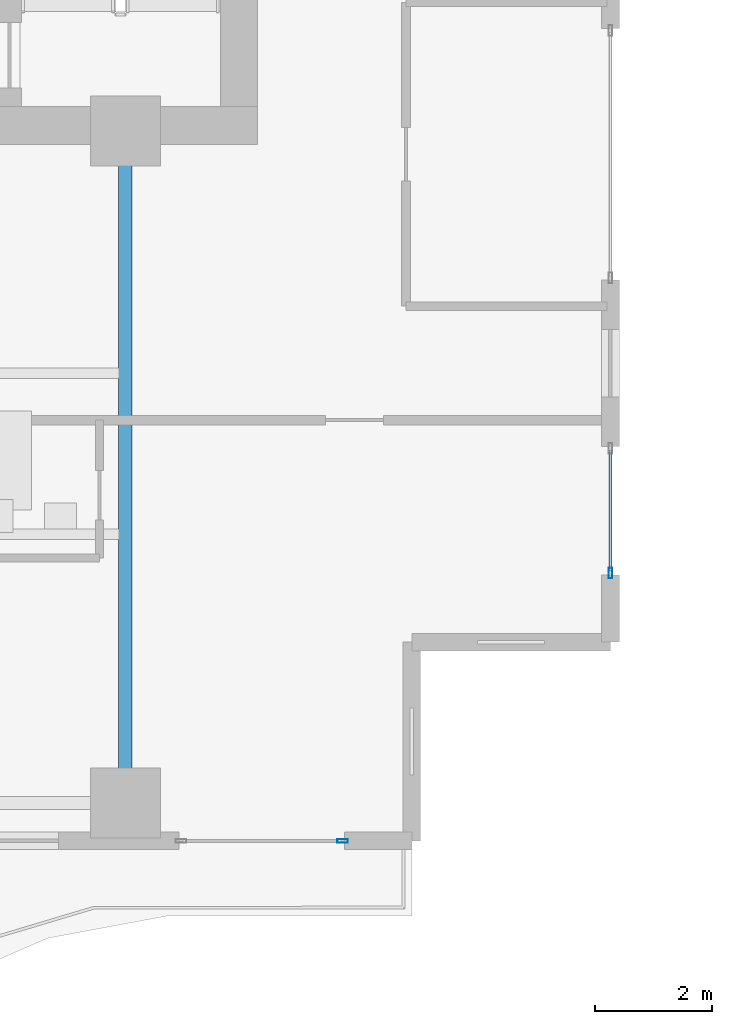
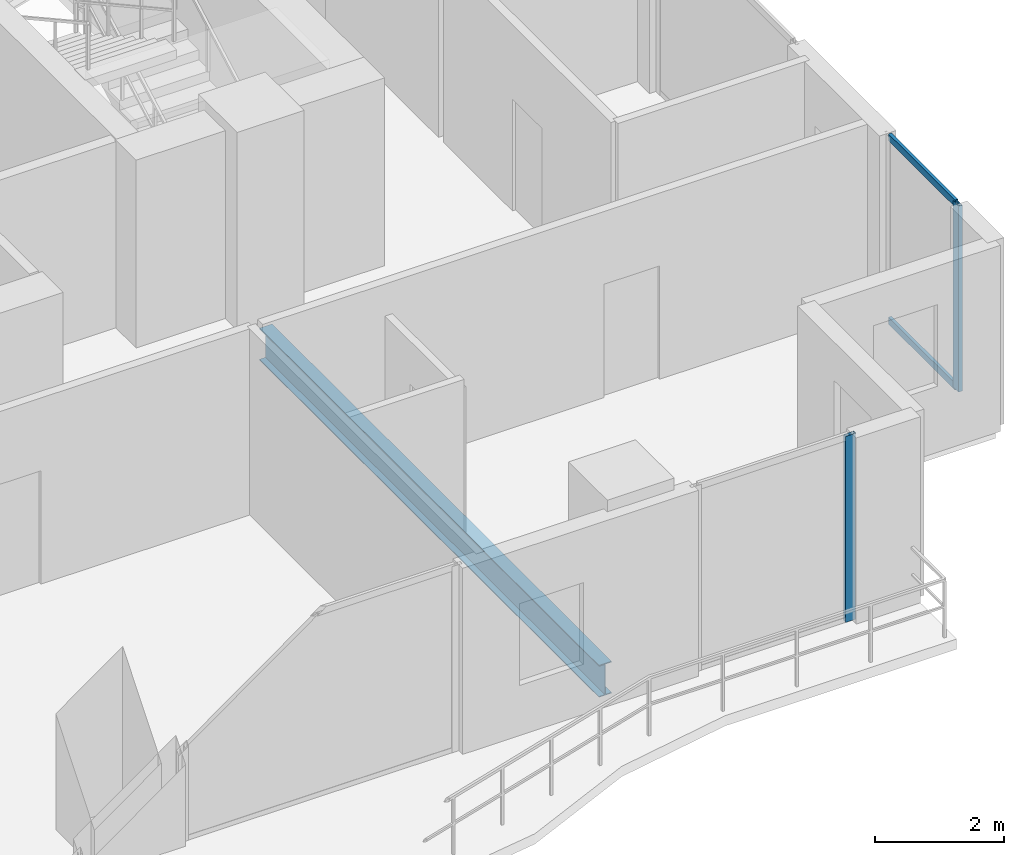
# One storey, part 11 of 33: 4 members, 1 beam, 2 elements without a shape of their own.
"""IFC4 building model written with IfcOpenShell, lengths in metres."""

from ifc_helpers import new_model, si_unit, direction, frame, origin, origin_2d, place, context, subcontext, project, spatial, hollow_rectangle, i_section, extrude, material, layer, layer_set, material_profile, profile_set, type_object, element, aggregate, save


model = new_model("IFC4")

# Units and contexts
model_context = context("Model", 3, precision=1e-05, world=origin(), true_north=direction((0.0, 1.0)))
body_context = subcontext(model_context, "Body", "Model", "MODEL_VIEW")
ifc_project = project(units=[si_unit("LENGTHUNIT", "METRE"), si_unit("AREAUNIT", "SQUARE_METRE"), si_unit("VOLUMEUNIT", "CUBIC_METRE"), si_unit("PLANEANGLEUNIT", "RADIAN"), si_unit("MASSUNIT", "GRAM", prefix="KILO")], contexts=[model_context])

# Site, building, storey
site_placement = place(None, origin())
site = spatial("IfcSite", under=ifc_project, at=site_placement, CompositionType="ELEMENT")
building_placement = place(site_placement, origin())
building = spatial("IfcBuilding", under=site, at=building_placement, Name="Zuhayl Quay Hotel", CompositionType="ELEMENT")
storey_placement = place(building_placement, frame((0.0, 0.0, 214.89990234375)))
storey = spatial("IfcBuildingStorey", under=building, at=storey_placement, Name="L54", CompositionType="ELEMENT", Elevation=214.89990234375)

# Beam
ifc_material_1 = material(Name="Steel ASTM A992 Grade 50", Category="steel")
ifc_material_profile_1 = material_profile(ifc_material_1, i_section(OverallWidth=0.22802734375, OverallDepth=0.60693359375, WebThickness=0.01123046875, FlangeThickness=0.017333984375, at=origin_2d()), Name="W24X76")
ifc_profile_set_1 = profile_set([ifc_material_profile_1], Name="Steel ASTM A992 Grade 50")
beam_type = type_object("IfcBeamType", Name="BM_B3_W24X76", PredefinedType="BEAM", material=ifc_profile_set_1)
beam_placement = place(storey_placement, frame((13.800048828125, -6.449951171875, -0.5234375), z_axis=(0.0, 1.0, 0.0), x_axis=(-1.0, 0.0, 0.0)))
element("IfcBeam", 1, at=beam_placement, inside=storey, type_object=beam_type, Name="L54 Floor Beam FG_S_L54_4", PredefinedType="BEAM", context=body_context, shape_type="SweptSolid", body=[
    extrude(i_section(OverallWidth=0.22802734375, OverallDepth=0.60693359375, WebThickness=0.01123046875, FlangeThickness=0.017333984375, at=origin_2d()), origin(), (0.0, 0.0, 1.0), 10.550048828125),
])

# Curtain wall, member
ifc_material_2 = material(Name="Anodised Aluminium 6063-T6", Category="aluminium")
ifc_layer = layer(ifc_material_2, 0.175048828125, Name="Anodised Aluminium 6063-T6", Category="aluminium")
ifc_layer_set = layer_set([ifc_layer], Name="Anodised Aluminium 6063-T6")
curtain_wall_type = type_object("IfcCurtainWallType", Name="CW_SYS_Z3", PredefinedType="USERDEFINED", material=ifc_layer_set)
curtain_wall_1_placement = place(storey_placement, origin())
curtain_wall_1 = element("IfcCurtainWall", 2, at=curtain_wall_1_placement, inside=storey, type_object=curtain_wall_type, Name="L54 Curtain Wall ENV_L54_E14_CW2", ObjectType="UNITISED CURTAIN WALL", PredefinedType="USERDEFINED")
ifc_material_3 = material(Name="Black-anodised aluminium 6063-T6", Category="aluminium")
ifc_material_profile_2 = material_profile(ifc_material_3, hollow_rectangle(XDim=0.06494140625, YDim=0.179931640625, WallThickness=0.00341796875, at=origin_2d()), Name="ALU180X65")
ifc_profile_set_2 = profile_set([ifc_material_profile_2], Name="Black-anodised aluminium 6063-T6")
member_type_1 = type_object("IfcMemberType", Name="MB_CW_MUL_180", PredefinedType="MULLION", material=ifc_profile_set_2)
member_1_placement = place(storey_placement, frame((22.10009765625, -3.017578125, 0.0), z_axis=(0.0, 0.0, 1.0), x_axis=(1.0, 0.0, 0.0)))
member_1 = element("IfcMember", 3, at=member_1_placement, type_object=member_type_1, Name="CW-Z3 mullion 2", PredefinedType="MULLION", context=body_context, shape_type="SweptSolid", body=[
    extrude(hollow_rectangle(XDim=0.06494140625, YDim=0.179931640625, WallThickness=0.00341796875, at=origin_2d()), origin(), (0.0, 0.0, 1.0), 3.530029296875),
])

curtain_wall_2_placement = place(storey_placement, origin())
curtain_wall_2 = element("IfcCurtainWall", 4, at=curtain_wall_2_placement, inside=storey, type_object=curtain_wall_type, Name="L54 Curtain Wall ENV_L54_S_CW1", ObjectType="UNITISED CURTAIN WALL", PredefinedType="USERDEFINED")
member_2_placement = place(storey_placement, frame((17.517578125, -7.60009765625, 0.0), z_axis=(0.0, 0.0, 1.0), x_axis=(0.0, -1.0, 0.0)))
member_2 = element("IfcMember", 5, at=member_2_placement, type_object=member_type_1, Name="CW-Z3 mullion 1", PredefinedType="MULLION", context=body_context, shape_type="SweptSolid", body=[
    extrude(hollow_rectangle(XDim=0.06494140625, YDim=0.179931640625, WallThickness=0.00341796875, at=origin_2d()), origin(), (0.0, 0.0, 1.0), 3.530029296875),
])
aggregate(curtain_wall_2, [member_2])

# Member
ifc_material_profile_3 = material_profile(ifc_material_3, hollow_rectangle(XDim=0.054931640625, YDim=0.1298828125, WallThickness=0.0029296875, at=origin_2d()), Name="ALU130X55")
ifc_profile_set_3 = profile_set([ifc_material_profile_3], Name="Black-anodised aluminium 6063-T6")
member_type_2 = type_object("IfcMemberType", Name="MB_CW_TRN_130", PredefinedType="USERDEFINED", material=ifc_profile_set_3)
member_3_placement = place(storey_placement, frame((22.10009765625, -0.9150390625, 0.027587890625), z_axis=(0.0, -1.0, 0.0), x_axis=(1.0, 0.0, 0.0)))
member_3 = element("IfcMember", 6, at=member_3_placement, type_object=member_type_2, Name="CW-Z3 transom 1.1", ObjectType="TRANSOM", PredefinedType="USERDEFINED", context=body_context, shape_type="SweptSolid", body=[
    extrude(hollow_rectangle(XDim=0.054931640625, YDim=0.1298828125, WallThickness=0.0029296875, at=origin_2d()), origin(), (0.0, 0.0, 1.0), 2.070068359375),
])

member_4_placement = place(storey_placement, frame((22.10009765625, -0.9150390625, 3.502685546875), z_axis=(0.0, -1.0, 0.0), x_axis=(1.0, 0.0, 0.0)))
member_4 = element("IfcMember", 7, at=member_4_placement, type_object=member_type_2, Name="CW-Z3 transom 1.2", ObjectType="TRANSOM", PredefinedType="USERDEFINED", context=body_context, shape_type="SweptSolid", body=[
    extrude(hollow_rectangle(XDim=0.054931640625, YDim=0.1298828125, WallThickness=0.0029296875, at=origin_2d()), origin(), (0.0, 0.0, 1.0), 2.070068359375),
])

aggregate(curtain_wall_1, [member_1, member_3, member_4])

save(model, "model.ifc")
